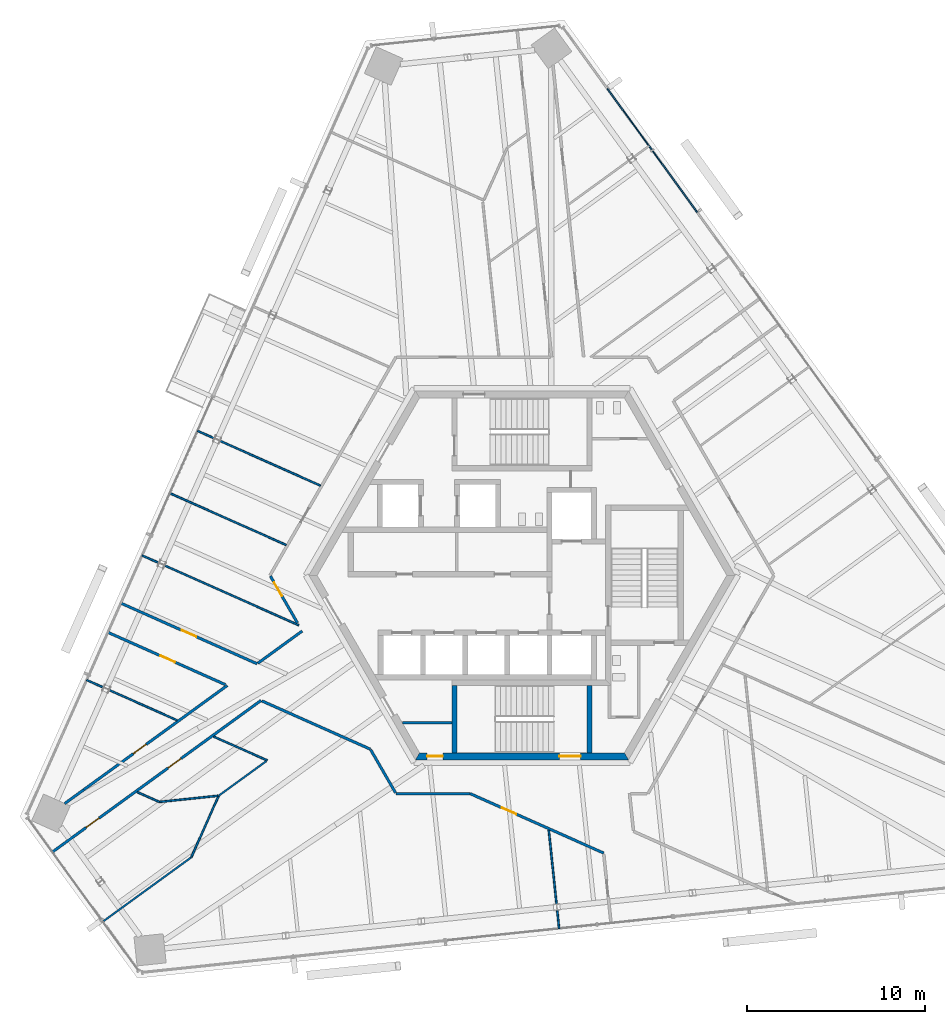
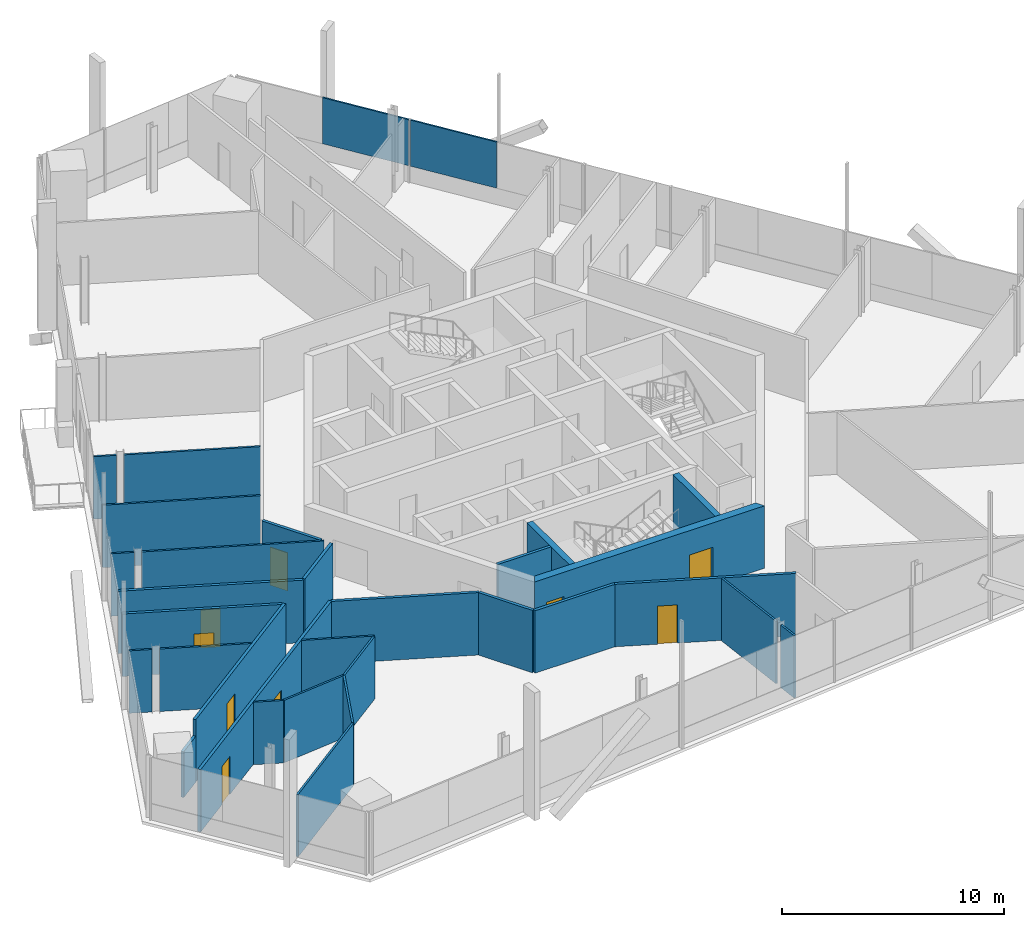
# One storey, part 10 of 20: 30 walls, 9 doors, 2 plates, 9 openings, 1 element without a shape of its own.
"""IFC4 building model written with IfcOpenShell, lengths in metres."""

import ifcopenshell
import ifcopenshell.guid

model = None  # the IFC model being written
_history = None  # IfcOwnerHistory: only IFC2X3 demands one
_inside = {}  # id of a spatial element -> (the spatial element, [elements in it])
_under = {}  # id of a project, library or spatial element -> (it, [spatial elements below it])
_declared = {}  # id of a project -> (the project, [libraries it declares])
_typed = {}  # id of a type object -> (the type object, [elements of that type])
_made_of = {}  # id of a material, layer set ... -> (it, [elements and type objects made of it])


def new_model(schema):
    """Start an empty IFC model of exactly this schema.

    Asked for "IFC4X3", IfcOpenShell would pick the latest addendum, in which some entities
    have other attributes; the version numbers below select the first issue.
    IFC2X3 requires an IfcOwnerHistory on every rooted entity: one is made here for all.
    """
    global model, _history
    if schema == "IFC4X3":
        model = ifcopenshell.file(schema_version=(4, 3, 0, 0))
    else:
        model = ifcopenshell.file(schema=schema)
    _inside.clear()
    _under.clear()
    _declared.clear()
    _typed.clear()
    _made_of.clear()
    _history = None
    if model.schema == "IFC2X3":
        org = make("IfcOrganization", Name="unknown")
        user = make(
            "IfcPersonAndOrganization",
            ThePerson=make("IfcPerson", FamilyName="unknown"),
            TheOrganization=org,
        )
        app = make(
            "IfcApplication",
            ApplicationDeveloper=org,
            Version="unknown",
            ApplicationFullName="unknown",
            ApplicationIdentifier="unknown",
        )
        _history = make(
            "IfcOwnerHistory",
            OwningUser=user,
            OwningApplication=app,
            ChangeAction="ADDED",
            CreationDate=0,
        )
    return model


def make(cls, **values):
    """One entity of the class cls with the attributes given. An attribute that is None is left unset."""
    return model.create_entity(
        cls, **{name: value for name, value in values.items() if value is not None}
    )


def rooted(cls, **values):
    """An entity with a GlobalId (a new one), such as an element, a storey or a relation."""
    return make(cls, GlobalId=ifcopenshell.guid.new(), OwnerHistory=_history, **values)


def si_unit(unit_type, name, prefix=None):
    """IfcSIUnit, for example si_unit("LENGTHUNIT", "METRE", prefix="MILLI")."""
    return make("IfcSIUnit", UnitType=unit_type, Prefix=prefix, Name=name)


def assignment(units):
    """IfcUnitAssignment: the units of a project."""
    return None if units is None else make("IfcUnitAssignment", Units=units)


def point(xyz):
    """IfcCartesianPoint."""
    return None if xyz is None else make("IfcCartesianPoint", Coordinates=xyz)


def direction(xyz):
    """IfcDirection."""
    return None if xyz is None else make("IfcDirection", DirectionRatios=xyz)


def frame(location, z_axis=None, x_axis=None):
    """IfcAxis2Placement3D, a coordinate frame: its origin and axes. An axis left out is left unset."""
    return make(
        "IfcAxis2Placement3D",
        Location=point(location),
        Axis=direction(z_axis),
        RefDirection=direction(x_axis),
    )


def frame_2d(location, x_axis=None):
    """IfcAxis2Placement2D, a coordinate frame in the plane: its origin and x axis."""
    return make(
        "IfcAxis2Placement2D", Location=point(location), RefDirection=direction(x_axis)
    )


def origin():
    """The frame at (0, 0, 0) with its axes left unset."""
    return frame((0.0, 0.0, 0.0))


def origin_2d():
    """The frame at (0, 0) in the plane with its x axis left unset."""
    return frame_2d((0.0, 0.0))


def place(relative_to, where):
    """IfcLocalPlacement: puts the frame where relative to a parent placement (None: the world)."""
    return make(
        "IfcLocalPlacement", PlacementRelTo=relative_to, RelativePlacement=where
    )


def context(
    kind, dimensions, precision=None, world=None, true_north=None, identifier=None
):
    """IfcGeometricRepresentationContext, for example the 3D "Model" context."""
    return make(
        "IfcGeometricRepresentationContext",
        ContextIdentifier=identifier,
        ContextType=kind,
        CoordinateSpaceDimension=dimensions,
        Precision=precision,
        WorldCoordinateSystem=world,
        TrueNorth=true_north,
    )


def subcontext(parent, identifier, kind, view, scale=None):
    """IfcGeometricRepresentationSubContext, for example "Body" below "Model"."""
    return make(
        "IfcGeometricRepresentationSubContext",
        ContextIdentifier=identifier,
        ContextType=kind,
        ParentContext=parent,
        TargetScale=scale,
        TargetView=view,
    )


def project(units=None, contexts=None):
    """IfcProject with its units and contexts."""
    return rooted(
        "IfcProject",
        Name="project",
        RepresentationContexts=contexts,
        UnitsInContext=assignment(units),
    )


def spatial(cls, under=None, at=None, **own):
    """A site, building, storey or space (cls), placed at a placement, below another one or the project."""
    s = rooted(cls, ObjectPlacement=at, **own)
    if under is not None:
        _under.setdefault(under.id(), (under, []))[1].append(s)
    return s


def polyline(points):
    """IfcPolyline through the points."""
    return make("IfcPolyline", Points=[point(p) for p in points])


def profile(cls, at=None, kind="AREA", **sizes):
    """A parametric profile (cls). Its sizes go by their IFC names, for example OverallWidth=200.0."""
    return make(cls, ProfileType=kind, Position=at, **sizes)


def rectangle(**sizes):
    """IfcRectangleProfileDef."""
    return profile("IfcRectangleProfileDef", **sizes)


def outline(outer, holes=None, kind="AREA"):
    """IfcArbitraryClosedProfileDef: a profile drawn as a closed curve; with holes, ...WithVoids."""
    if holes is None:
        return make("IfcArbitraryClosedProfileDef", ProfileType=kind, OuterCurve=outer)
    return make(
        "IfcArbitraryProfileDefWithVoids",
        ProfileType=kind,
        OuterCurve=outer,
        InnerCurves=holes,
    )


def extrude(swept, where, along, depth):
    """IfcExtrudedAreaSolid: the profile swept, set in the frame where, extruded along a direction by depth."""
    return make(
        "IfcExtrudedAreaSolid",
        SweptArea=swept,
        Position=where,
        ExtrudedDirection=direction(along),
        Depth=depth,
    )


def shape(context_of_items, identifier, shape_type, items):
    """IfcShapeRepresentation: the items that make up one representation, for example the "Body"."""
    return make(
        "IfcShapeRepresentation",
        ContextOfItems=context_of_items,
        RepresentationIdentifier=identifier,
        RepresentationType=shape_type,
        Items=items,
    )


def source(mapping_origin, context_of_items, identifier, shape_type, items):
    """IfcRepresentationMap: a shape defined once, which mapped items show again and again."""
    return make(
        "IfcRepresentationMap",
        MappingOrigin=mapping_origin,
        MappedRepresentation=shape(context_of_items, identifier, shape_type, items),
    )


def transform(
    local_origin,
    x_axis=None,
    y_axis=None,
    z_axis=None,
    scale=None,
    scale2=None,
    scale3=None,
    uniform=True,
):
    """IfcCartesianTransformationOperator3D, or its non-uniform kind. x_axis, y_axis, z_axis: its Axis1, 2, 3."""
    if uniform:
        return make(
            "IfcCartesianTransformationOperator3D",
            Axis1=direction(x_axis),
            Axis2=direction(y_axis),
            LocalOrigin=point(local_origin),
            Scale=scale,
            Axis3=direction(z_axis),
        )
    return make(
        "IfcCartesianTransformationOperator3DnonUniform",
        Axis1=direction(x_axis),
        Axis2=direction(y_axis),
        LocalOrigin=point(local_origin),
        Scale=scale,
        Axis3=direction(z_axis),
        Scale2=scale2,
        Scale3=scale3,
    )


def mapped(mapping_source, mapping_target):
    """IfcMappedItem: shows the shape of a source again, moved by a transform."""
    return make(
        "IfcMappedItem", MappingSource=mapping_source, MappingTarget=mapping_target
    )


def material(Name=None, Category=None):
    """IfcMaterial."""
    return make("IfcMaterial", Name=Name, Category=Category)


def layer(
    of_material, thickness, ventilated=None, Name=None, Category=None, Priority=None
):
    """IfcMaterialLayer: one layer of a wall or slab, of a material (None: an air gap)."""
    return make(
        "IfcMaterialLayer",
        Material=of_material,
        LayerThickness=thickness,
        IsVentilated=ventilated,
        Name=Name,
        Category=Category,
        Priority=Priority,
    )


def layer_set(layers, Name=None):
    """IfcMaterialLayerSet."""
    return make("IfcMaterialLayerSet", MaterialLayers=layers, LayerSetName=Name)


def made_of(thing, what):
    """Note that an element or type object is made of a material, layer set ...; save() writes the relation."""
    if what is not None:
        _made_of.setdefault(what.id(), (what, []))[1].append(thing)
    return thing


def type_object(cls, material=None, **own):
    """A type object (cls), such as IfcWallType, which elements share."""
    return made_of(rooted(cls, **own), material)


def element(
    cls,
    number,
    at=None,
    inside=None,
    cuts=None,
    type_object=None,
    material=None,
    context=None,
    identifier="Body",
    shape_type=None,
    held_by="IfcProductDefinitionShape",
    body=None,
    shapes=None,
    **own,
):
    """One element of the class cls, such as IfcWall. Its Tag is "e" and its number.

    at: its placement. inside: the storey or other place that contains it. cuts: it is an
    opening in that element (IfcRelVoidsElement). A single representation is given by context,
    identifier, shape_type and body (its items); several are given by shapes. held_by: the class
    of the entity that holds the representations. save() writes the other relations.
    """
    e = rooted(cls, Tag="e%d" % number, ObjectPlacement=at, **own)
    if body is not None:
        shapes = [shape(context, identifier, shape_type, body)]
    if shapes is not None:
        e.Representation = make(held_by, Representations=shapes)
    if inside is not None:
        _inside.setdefault(inside.id(), (inside, []))[1].append(e)
    if cuts is not None:
        rooted(
            "IfcRelVoidsElement", RelatingBuildingElement=cuts, RelatedOpeningElement=e
        )
    if type_object is not None:
        _typed.setdefault(type_object.id(), (type_object, []))[1].append(e)
    return made_of(e, material)


def fill(opening, filler):
    """IfcRelFillsElement: the door or window that sits in an opening."""
    return rooted(
        "IfcRelFillsElement",
        RelatingOpeningElement=opening,
        RelatedBuildingElement=filler,
    )


def aggregate(whole, parts):
    """IfcRelAggregates: a whole, such as a stair, and the parts it consists of."""
    return rooted("IfcRelAggregates", RelatingObject=whole, RelatedObjects=parts)


def save(model, path):
    """Write the relations noted so far, then the file.

    IfcRelAggregates (storeys below a building ...), IfcRelContainedInSpatialStructure (elements
    in a storey), IfcRelDefinesByType, IfcRelAssociatesMaterial and IfcRelDeclares: one each for
    every whole, place, type object, material and project.
    """
    for whole, parts in _under.values():
        aggregate(whole, parts)
    for where, things in _inside.values():
        rooted(
            "IfcRelContainedInSpatialStructure",
            RelatedElements=things,
            RelatingStructure=where,
        )
    for kind, things in _typed.values():
        rooted("IfcRelDefinesByType", RelatedObjects=things, RelatingType=kind)
    for what, things in _made_of.values():
        rooted("IfcRelAssociatesMaterial", RelatedObjects=things, RelatingMaterial=what)
    for by, libraries in _declared.values():
        rooted("IfcRelDeclares", RelatingContext=by, RelatedDefinitions=libraries)
    model.write(path)


model = new_model("IFC4")

# Units and contexts
model_context = context("Model", 3, precision=1e-05, world=origin(), true_north=direction((0.0, 1.0)))
body_context = subcontext(model_context, "Body", "Model", "MODEL_VIEW")
ifc_project = project(units=[si_unit("LENGTHUNIT", "METRE"), si_unit("AREAUNIT", "SQUARE_METRE"), si_unit("VOLUMEUNIT", "CUBIC_METRE"), si_unit("PLANEANGLEUNIT", "RADIAN"), si_unit("MASSUNIT", "GRAM", prefix="KILO")], contexts=[model_context])

# Site, building, storey
site_placement = place(None, origin())
site = spatial("IfcSite", under=ifc_project, at=site_placement, CompositionType="ELEMENT")
building_placement = place(site_placement, origin())
building = spatial("IfcBuilding", under=site, at=building_placement, Name="Triune Harvest Tower", CompositionType="ELEMENT")
storey_placement = place(building_placement, frame((0.0, 0.0, 226.89990234375)))
storey = spatial("IfcBuildingStorey", under=building, at=storey_placement, Name="L59", CompositionType="ELEMENT", Elevation=226.89990234375)

# Curtain wall, plates
ifc_material_1 = material(Name="Aluminium bronze anodised", Category="aluminium")
curtain_wall_type = type_object("IfcCurtainWallType", Name="CW-7 Tower stick curtain wall with insulated spandrel infill", PredefinedType="NOTDEFINED", material=ifc_material_1)
curtain_wall_placement = place(storey_placement, origin())
curtain_wall = element("IfcCurtainWall", 1, at=curtain_wall_placement, inside=storey, type_object=curtain_wall_type, Name="CW-7 B6-F1 L59 run 2001")
ifc_material_2 = material(Name="Insulated spandrel panel, bronze aluminium pan", Category="aluminium")
ifc_layer_1 = layer(ifc_material_2, 0.080078125)
ifc_layer_set_1 = layer_set([ifc_layer_1], Name="Insulated spandrel panel, bronze aluminium pan")
plate_type = type_object("IfcPlateType", Name="SP-1 insulated spandrel panel 80", PredefinedType="CURTAIN_PANEL", material=ifc_layer_set_1)
shared_shape_1 = source(origin(), body_context, "Body", "SweptSolid", [
    extrude(rectangle(XDim=4.262451171875, YDim=0.080078125, at=origin_2d()), origin(), (0.0, 0.0, 1.0), 2.5400390625),
])
plate_1_placement = place(storey_placement, frame((8.61181640625, 22.178955078125, 0.900146484375), z_axis=(0.0, 0.0, 1.0), x_axis=(-0.587786129808, 0.809016356822, 0.0)))
plate_1 = element("IfcPlate", 2, at=plate_1_placement, type_object=plate_type, Name="CW-7 panel B6-F1 2001.2", PredefinedType="CURTAIN_PANEL", context=body_context, shape_type="MappedRepresentation", body=[
    mapped(shared_shape_1, transform((0.0, 0.0, 0.0), scale=1.0)),
])
plate_2_placement = place(storey_placement, frame((6.062255859375, 25.68798828125, 0.900146484375), z_axis=(0.0, 0.0, 1.0), x_axis=(-0.587786129808, 0.809016356822, 0.0)))
plate_2 = element("IfcPlate", 3, at=plate_2_placement, type_object=plate_type, Name="CW-7 panel B6-F1 2001.3", PredefinedType="CURTAIN_PANEL", context=body_context, shape_type="MappedRepresentation", body=[
    mapped(shared_shape_1, transform((0.0, 0.0, 0.0), scale=1.0)),
])
aggregate(curtain_wall, [plate_1, plate_2])

# Wall, opening, door
ifc_material_3 = material(Name="Gypsum board on steel studs", Category="steel")
ifc_layer_2 = layer(ifc_material_3, 0.14990234375)
ifc_layer_set_2 = layer_set([ifc_layer_2], Name="Gypsum board on steel studs")
wall_type_1 = type_object("IfcWallType", Name="Fire Partition 150 mm", PredefinedType="PARTITIONING", material=ifc_layer_set_2)
wall_1_placement = place(storey_placement, frame((-14.1689453125, -0.04345703125, 0.0), z_axis=(0.0, 0.0, 1.0), x_axis=(0.500039629421, -0.866002522519, 0.0)))
wall_1 = element("IfcWall", 4, at=wall_1_placement, inside=storey, type_object=wall_type_1, Name="Partition L59 009", PredefinedType="PARTITIONING", context=body_context, shape_type="SweptSolid", body=[
    extrude(rectangle(XDim=3.042724609375, YDim=0.14990234375, at=frame_2d((1.521484375, 0.0))), origin(), (0.0, 0.0, 1.0), 3.440185546875),
])
opening_1_placement = place(wall_1_placement, frame((0.39990234375, 0.0, 0.0)))
opening_1 = element("IfcOpeningElement", 5, at=opening_1_placement, cuts=wall_1, Name="Opening L59-013", PredefinedType="OPENING", context=body_context, shape_type="SweptSolid", body=[
    extrude(rectangle(XDim=0.89990234375, YDim=2.10009765625, at=frame_2d((0.449951171875, 1.050048828125))), frame((0.0, 0.0849609375, 0.0), z_axis=(0.0, -1.0, 0.0), x_axis=(1.0, 0.0, 0.0)), (0.0, 0.0, 1.0), 0.169921875),
])
ifc_material_4 = material(Name="Timber and steel door set", Category="steel")
door_type_1 = type_object("IfcDoorType", Name="Single leaf door FD30 right hand 900 x 2100", OperationType="SINGLE_SWING_RIGHT", PredefinedType="DOOR", material=ifc_material_4)
door_1_placement = place(opening_1_placement, origin())
door_1 = element("IfcDoor", 6, at=door_1_placement, inside=storey, type_object=door_type_1, Name="Door L59-013 Meeting Room 59.13", OperationType="SINGLE_SWING_RIGHT", OverallHeight=2.10009765625, OverallWidth=0.89990234375, PredefinedType="DOOR", context=body_context, shape_type="SweptSolid", body=[
    extrude(rectangle(XDim=0.89990234375, YDim=2.10009765625, at=frame_2d((0.449951171875, 1.050048828125))), frame((0.0, 0.02490234375, 0.0), z_axis=(0.0, -1.0, 0.0), x_axis=(1.0, 0.0, 0.0)), (0.0, 0.0, 1.0), 0.050048828125),
])
fill(opening_1, door_1)

# Wall
wall_2_placement = place(storey_placement, frame((-8.525390625, -9.818115234375, 0.0), z_axis=(0.0, 0.0, 1.0), x_axis=(0.500021093737, -0.866013224967, 0.0)))
element("IfcWall", 7, at=wall_2_placement, inside=storey, type_object=wall_type_1, Name="Partition L59 010", PredefinedType="PARTITIONING", context=body_context, shape_type="SweptSolid", body=[
    extrude(rectangle(XDim=2.80712890625, YDim=0.14990234375, at=frame_2d((1.403564453125, 0.0))), origin(), (0.0, 0.0, 1.0), 3.440185546875),
])

# Wall, opening, door
wall_3_placement = place(storey_placement, frame((-23.32568359375, -3.209228515625, 0.0), z_axis=(0.0, 0.0, 1.0), x_axis=(0.913546136193, -0.406735119022, 0.0)))
wall_3 = element("IfcWall", 8, at=wall_3_placement, inside=storey, type_object=wall_type_1, Name="Partition L59 017", PredefinedType="PARTITIONING", context=body_context, shape_type="SweptSolid", body=[
    extrude(rectangle(XDim=7.250244140625, YDim=0.14990234375, at=frame_2d((3.625, 0.0))), origin(), (0.0, 0.0, 1.0), 3.440185546875),
])
opening_2_placement = place(wall_3_placement, frame((3.25, 0.0, 0.0)))
opening_2 = element("IfcOpeningElement", 9, at=opening_2_placement, cuts=wall_3, Name="Opening L59-015", PredefinedType="OPENING", context=body_context, shape_type="SweptSolid", body=[
    extrude(rectangle(XDim=0.89990234375, YDim=2.10009765625, at=frame_2d((0.449951171875, 1.050048828125))), frame((0.0, 0.0849609375, 0.0), z_axis=(0.0, -1.0, 0.0), x_axis=(1.0, 0.0, 0.0)), (0.0, 0.0, 1.0), 0.169921875),
])
ifc_material_5 = material(Name="Timber and steel door set", Category="steel")
door_type_2 = type_object("IfcDoorType", Name="Single leaf door FD30 left hand 900 x 2100", OperationType="SINGLE_SWING_LEFT", PredefinedType="DOOR", material=ifc_material_5)
door_2_placement = place(opening_2_placement, origin())
door_2 = element("IfcDoor", 10, at=door_2_placement, inside=storey, type_object=door_type_2, Name="Door L59-015 Meeting Room 59.15", OperationType="SINGLE_SWING_LEFT", OverallHeight=2.10009765625, OverallWidth=0.89990234375, PredefinedType="DOOR", context=body_context, shape_type="SweptSolid", body=[
    extrude(rectangle(XDim=0.89990234375, YDim=2.10009765625, at=frame_2d((0.449951171875, 1.050048828125))), frame((0.0, 0.02490234375, 0.0), z_axis=(0.0, -1.0, 0.0), x_axis=(1.0, 0.0, 0.0)), (0.0, 0.0, 1.0), 0.050048828125),
])
fill(opening_2, door_2)

# Wall
wall_4_placement = place(storey_placement, frame((-14.656982421875, -7.06884765625, 0.0), z_axis=(0.0, 0.0, 1.0), x_axis=(0.913555747431, -0.406713531047, 0.0)))
element("IfcWall", 11, at=wall_4_placement, inside=storey, type_object=wall_type_1, Name="Partition L59 018", PredefinedType="PARTITIONING", context=body_context, shape_type="SweptSolid", body=[
    extrude(rectangle(XDim=6.695556640625, YDim=0.14990234375, at=frame_2d((3.34765625, 0.0))), origin(), (0.0, 0.0, 1.0), 3.440185546875),
])

# Wall, opening, door
wall_5_placement = place(storey_placement, frame((-2.925048828125, -12.292236328125, 0.0), z_axis=(0.0, 0.0, 1.0), x_axis=(0.913548582705, -0.406729623997, 0.0)))
wall_5 = element("IfcWall", 12, at=wall_5_placement, inside=storey, type_object=wall_type_1, Name="Partition L59 019", PredefinedType="PARTITIONING", context=body_context, shape_type="SweptSolid", body=[
    extrude(rectangle(XDim=8.2373046875, YDim=0.14990234375, at=frame_2d((4.11865234375, 0.0))), origin(), (0.0, 0.0, 1.0), 3.440185546875),
])
opening_3_placement = place(wall_5_placement, frame((1.9501953125, 0.0, 0.0)))
opening_3 = element("IfcOpeningElement", 13, at=opening_3_placement, cuts=wall_5, Name="Opening L59-020", PredefinedType="OPENING", context=body_context, shape_type="SweptSolid", body=[
    extrude(rectangle(XDim=0.89990234375, YDim=2.10009765625, at=frame_2d((0.449951171875, 1.050048828125))), frame((0.0, 0.0849609375, 0.0), z_axis=(0.0, -1.0, 0.0), x_axis=(1.0, 0.0, 0.0)), (0.0, 0.0, 1.0), 0.169921875),
])
door_3_placement = place(opening_3_placement, origin())
door_3 = element("IfcDoor", 14, at=door_3_placement, inside=storey, type_object=door_type_1, Name="Door L59-020 Open Office 59.20", OperationType="SINGLE_SWING_RIGHT", OverallHeight=2.10009765625, OverallWidth=0.89990234375, PredefinedType="DOOR", context=body_context, shape_type="SweptSolid", body=[
    extrude(rectangle(XDim=0.89990234375, YDim=2.10009765625, at=frame_2d((0.449951171875, 1.050048828125))), frame((0.0, 0.02490234375, 0.0), z_axis=(0.0, -1.0, 0.0), x_axis=(1.0, 0.0, 0.0)), (0.0, 0.0, 1.0), 0.050048828125),
])
fill(opening_3, door_3)

wall_6_placement = place(storey_placement, frame((-22.59326171875, -1.565185546875, 0.0), z_axis=(0.0, 0.0, 1.0), x_axis=(0.913540463394, -0.406747860157, 0.0)))
wall_6 = element("IfcWall", 15, at=wall_6_placement, inside=storey, type_object=wall_type_1, Name="Partition L59 020", PredefinedType="PARTITIONING", context=body_context, shape_type="SweptSolid", body=[
    extrude(rectangle(XDim=8.399658203125, YDim=0.14990234375, at=frame_2d((4.19970703125, 0.0))), origin(), (0.0, 0.0, 1.0), 3.440185546875),
])
opening_4_placement = place(wall_6_placement, frame((3.74951171875, 0.0, 0.0)))
opening_4 = element("IfcOpeningElement", 16, at=opening_4_placement, cuts=wall_6, Name="Opening L59-016", PredefinedType="OPENING", context=body_context, shape_type="SweptSolid", body=[
    extrude(rectangle(XDim=0.89990234375, YDim=2.10009765625, at=frame_2d((0.449951171875, 1.050048828125))), frame((0.0, 0.0849609375, 0.0), z_axis=(0.0, -1.0, 0.0), x_axis=(1.0, 0.0, 0.0)), (0.0, 0.0, 1.0), 0.169921875),
])
door_4_placement = place(opening_4_placement, origin())
door_4 = element("IfcDoor", 17, at=door_4_placement, inside=storey, type_object=door_type_2, Name="Door L59-016 Office 59.16", OperationType="SINGLE_SWING_LEFT", OverallHeight=2.10009765625, OverallWidth=0.89990234375, PredefinedType="DOOR", context=body_context, shape_type="SweptSolid", body=[
    extrude(rectangle(XDim=0.89990234375, YDim=2.10009765625, at=frame_2d((0.449951171875, 1.050048828125))), frame((0.0, 0.02490234375, 0.0), z_axis=(0.0, -1.0, 0.0), x_axis=(1.0, 0.0, 0.0)), (0.0, 0.0, 1.0), 0.050048828125),
])
fill(opening_4, door_4)

# Wall
wall_7_placement = place(storey_placement, frame((-7.096923828125, -12.292236328125, 0.0), z_axis=(0.0, 0.0, 1.0), x_axis=(1.0, 0.0, 0.0)))
element("IfcWall", 18, at=wall_7_placement, inside=storey, type_object=wall_type_1, Name="Partition L59 032", PredefinedType="PARTITIONING", context=body_context, shape_type="SweptSolid", body=[
    extrude(rectangle(XDim=4.162109375, YDim=0.14990234375, at=frame_2d((2.0810546875, 0.0))), origin(), (0.0, 0.0, 1.0), 3.440185546875),
])

# Wall, openings, doors
wall_8_placement = place(storey_placement, frame((-26.452392578125, -15.585205078125, 0.0), z_axis=(0.0, 0.0, 1.0), x_axis=(0.809011496706, 0.58779281911, 0.0)))
wall_8 = element("IfcWall", 19, at=wall_8_placement, inside=storey, type_object=wall_type_1, Name="Partition L59 045", PredefinedType="PARTITIONING", context=body_context, shape_type="SweptSolid", body=[
    extrude(rectangle(XDim=14.523681640625, YDim=0.14990234375, at=frame_2d((7.26171875, 0.0))), origin(), (0.0, 0.0, 1.0), 3.440185546875),
])
opening_5_placement = place(wall_8_placement, frame((8.05859375, 0.0, 0.0)))
opening_5 = element("IfcOpeningElement", 20, at=opening_5_placement, cuts=wall_8, Name="Opening L59-018", PredefinedType="OPENING", context=body_context, shape_type="SweptSolid", body=[
    extrude(rectangle(XDim=0.89990234375, YDim=2.10009765625, at=frame_2d((0.449951171875, 1.050048828125))), frame((0.0, 0.0849609375, 0.0), z_axis=(0.0, -1.0, 0.0), x_axis=(1.0, 0.0, 0.0)), (0.0, 0.0, 1.0), 0.169921875),
])
opening_6_placement = place(wall_8_placement, frame((2.349853515625, 0.0, 0.0)))
opening_6 = element("IfcOpeningElement", 21, at=opening_6_placement, cuts=wall_8, Name="Opening L59-019", PredefinedType="OPENING", context=body_context, shape_type="SweptSolid", body=[
    extrude(rectangle(XDim=0.89990234375, YDim=2.10009765625, at=frame_2d((0.449951171875, 1.050048828125))), frame((0.0, 0.0849609375, 0.0), z_axis=(0.0, -1.0, 0.0), x_axis=(1.0, 0.0, 0.0)), (0.0, 0.0, 1.0), 0.169921875),
])
door_5_placement = place(opening_5_placement, origin())
door_5 = element("IfcDoor", 22, at=door_5_placement, inside=storey, type_object=door_type_2, Name="Door L59-018 Pantry 59.18", OperationType="SINGLE_SWING_LEFT", OverallHeight=2.10009765625, OverallWidth=0.89990234375, PredefinedType="DOOR", context=body_context, shape_type="SweptSolid", body=[
    extrude(rectangle(XDim=0.89990234375, YDim=2.10009765625, at=frame_2d((0.449951171875, 1.050048828125))), frame((0.0, 0.02490234375, 0.0), z_axis=(0.0, -1.0, 0.0), x_axis=(1.0, 0.0, 0.0)), (0.0, 0.0, 1.0), 0.050048828125),
])
fill(opening_5, door_5)
door_6_placement = place(opening_6_placement, origin())
door_6 = element("IfcDoor", 23, at=door_6_placement, inside=storey, type_object=door_type_1, Name="Door L59-019 Office 59.19", OperationType="SINGLE_SWING_RIGHT", OverallHeight=2.10009765625, OverallWidth=0.89990234375, PredefinedType="DOOR", context=body_context, shape_type="SweptSolid", body=[
    extrude(rectangle(XDim=0.89990234375, YDim=2.10009765625, at=frame_2d((0.449951171875, 1.050048828125))), frame((0.0, 0.02490234375, 0.0), z_axis=(0.0, -1.0, 0.0), x_axis=(1.0, 0.0, 0.0)), (0.0, 0.0, 1.0), 0.050048828125),
])
fill(opening_6, door_6)

# Wall, opening, door
wall_9_placement = place(storey_placement, frame((-24.677490234375, -12.07080078125, 0.0), z_axis=(0.0, 0.0, 1.0), x_axis=(0.808997226616, 0.587812459316, 0.0)))
wall_9 = element("IfcWall", 24, at=wall_9_placement, inside=storey, type_object=wall_type_1, Name="Partition L59 047a", PredefinedType="PARTITIONING", context=body_context, shape_type="SweptSolid", body=[
    extrude(rectangle(XDim=9.982666015625, YDim=0.14990234375, at=frame_2d((4.9912109375, 0.0))), origin(), (0.0, 0.0, 1.0), 3.440185546875),
])
opening_7_placement = place(wall_9_placement, frame((3.438232421875, 0.0, 0.0)))
opening_7 = element("IfcOpeningElement", 25, at=opening_7_placement, cuts=wall_9, Name="Opening L59-017", PredefinedType="OPENING", context=body_context, shape_type="SweptSolid", body=[
    extrude(rectangle(XDim=0.89990234375, YDim=2.10009765625, at=frame_2d((0.449951171875, 1.050048828125))), frame((0.0, 0.0849609375, 0.0), z_axis=(0.0, -1.0, 0.0), x_axis=(1.0, 0.0, 0.0)), (0.0, 0.0, 1.0), 0.169921875),
])
door_7_placement = place(opening_7_placement, origin())
door_7 = element("IfcDoor", 26, at=door_7_placement, inside=storey, type_object=door_type_2, Name="Door L59-017 Pantry 59.17", OperationType="SINGLE_SWING_LEFT", OverallHeight=2.10009765625, OverallWidth=0.89990234375, PredefinedType="DOOR", context=body_context, shape_type="SweptSolid", body=[
    extrude(rectangle(XDim=0.89990234375, YDim=2.10009765625, at=frame_2d((0.449951171875, 1.050048828125))), frame((0.0, 0.02490234375, 0.0), z_axis=(0.0, -1.0, 0.0), x_axis=(1.0, 0.0, 0.0)), (0.0, 0.0, 1.0), 0.050048828125),
])
fill(opening_7, door_7)

# Walls
wall_10_placement = place(storey_placement, frame((-14.879638671875, -4.951904296875, 0.0), z_axis=(0.0, 0.0, 1.0), x_axis=(0.809047214606, 0.587743655464, 0.0)))
element("IfcWall", 27, at=wall_10_placement, inside=storey, type_object=wall_type_1, Name="Partition L59 048", PredefinedType="PARTITIONING", context=body_context, shape_type="SweptSolid", body=[
    extrude(rectangle(XDim=3.086669921875, YDim=0.14990234375, at=frame_2d((1.54345703125, 0.0))), origin(), (0.0, 0.0, 1.0), 3.440185546875),
])
ifc_material_6 = material(Name="Gypsum board on steel studs", Category="steel")
ifc_layer_3 = layer(ifc_material_6, 0.10009765625)
ifc_layer_set_3 = layer_set([ifc_layer_3], Name="Gypsum board on steel studs")
wall_type_2 = type_object("IfcWallType", Name="Partition 100 mm", PredefinedType="PARTITIONING", material=ifc_layer_set_3)
wall_11_placement = place(storey_placement, frame((-21.671142578125, -12.20751953125, 0.0), z_axis=(0.0, 0.0, 1.0), x_axis=(0.913536363976, -0.406757067172, 0.0)))
element("IfcWall", 28, at=wall_11_placement, inside=storey, type_object=wall_type_2, Name="Partition L59 013", PredefinedType="PARTITIONING", context=body_context, shape_type="SweptSolid", body=[
    extrude(rectangle(XDim=1.354736328125, YDim=0.10009765625, at=frame_2d((0.67724609375, 0.0))), origin(), (0.0, 0.0, 1.0), 3.440185546875),
])
wall_12_placement = place(storey_placement, frame((-23.25732421875, -6.45751953125, 0.0), z_axis=(0.0, 0.0, 1.0), x_axis=(0.913530200231, -0.406770910053, 0.0)))
element("IfcWall", 29, at=wall_12_placement, inside=storey, type_object=wall_type_2, Name="Partition L59 015", PredefinedType="PARTITIONING", context=body_context, shape_type="SweptSolid", body=[
    extrude(rectangle(XDim=4.18994140625, YDim=0.10009765625, at=frame_2d((2.094970703125, 0.0))), origin(), (0.0, 0.0, 1.0), 3.440185546875),
])
wall_13_placement = place(storey_placement, frame((-17.366943359375, -9.080078125, 0.0), z_axis=(0.0, 0.0, 1.0), x_axis=(0.913537165463, -0.406755267106, 0.0)))
element("IfcWall", 30, at=wall_13_placement, inside=storey, type_object=wall_type_2, Name="Partition L59 016", PredefinedType="PARTITIONING", context=body_context, shape_type="SweptSolid", body=[
    extrude(rectangle(XDim=3.3046875, YDim=0.10009765625, at=frame_2d((1.65234375, 0.0))), origin(), (0.0, 0.0, 1.0), 3.440185546875),
])
wall_14_placement = place(storey_placement, frame((-19.8359375, 4.62841796875, 0.0), z_axis=(0.0, 0.0, 1.0), x_axis=(0.913544940746, -0.406737804042, 0.0)))
element("IfcWall", 31, at=wall_14_placement, inside=storey, type_object=wall_type_2, Name="Partition L59 024", PredefinedType="PARTITIONING", context=body_context, shape_type="SweptSolid", body=[
    extrude(rectangle(XDim=7.18017578125, YDim=0.10009765625, at=frame_2d((3.590087890625, 0.0))), origin(), (0.0, 0.0, 1.0), 3.440185546875),
])
wall_15_placement = place(storey_placement, frame((-20.424560546875, -12.7626953125, 0.0), z_axis=(0.0, 0.0, 1.0), x_axis=(0.994521251134, 0.104534592565, 0.0)))
element("IfcWall", 32, at=wall_15_placement, inside=storey, type_object=wall_type_2, Name="Partition L59 036", PredefinedType="PARTITIONING", context=body_context, shape_type="SweptSolid", body=[
    extrude(rectangle(XDim=3.300048828125, YDim=0.10009765625, at=frame_2d((1.64990234375, 0.0))), origin(), (0.0, 0.0, 1.0), 3.440185546875),
])
wall_16_placement = place(storey_placement, frame((-23.607421875, -19.501220703125, 0.0), z_axis=(0.0, 0.0, 1.0), x_axis=(0.809010490052, 0.58779420462, 0.0)))
element("IfcWall", 33, at=wall_16_placement, inside=storey, type_object=wall_type_2, Name="Partition L59 041", PredefinedType="PARTITIONING", context=body_context, shape_type="SweptSolid", body=[
    extrude(rectangle(XDim=6.15380859375, YDim=0.10009765625, at=frame_2d((3.076904296875, 0.0))), origin(), (0.0, 0.0, 1.0), 3.440185546875),
])
wall_17_placement = place(storey_placement, frame((-17.082763671875, -12.41162109375, 0.0), z_axis=(0.0, 0.0, 1.0), x_axis=(0.809013420252, 0.587790171619, 0.0)))
element("IfcWall", 34, at=wall_17_placement, inside=storey, type_object=wall_type_2, Name="Partition L59 042", PredefinedType="PARTITIONING", context=body_context, shape_type="SweptSolid", body=[
    extrude(rectangle(XDim=3.310791015625, YDim=0.10009765625, at=frame_2d((1.6552734375, 0.0))), origin(), (0.0, 0.0, 1.0), 3.440185546875),
])
wall_18_placement = place(storey_placement, frame((-18.625244140625, -15.875, 0.0), z_axis=(0.0, 0.0, 1.0), x_axis=(0.406741770208, 0.913543174879, 0.0)))
element("IfcWall", 35, at=wall_18_placement, inside=storey, type_object=wall_type_2, Name="Partition L59 058", PredefinedType="PARTITIONING", context=body_context, shape_type="SweptSolid", body=[
    extrude(rectangle(XDim=3.791748046875, YDim=0.10009765625, at=frame_2d((1.89599609375, 0.0))), origin(), (0.0, 0.0, 1.0), 3.440185546875),
])

# Wall, openings, doors
ifc_material_7 = material(Name="Concrete 70 MPa", Category="concrete")
ifc_layer_4 = layer(ifc_material_7, 0.39990234375)
ifc_layer_set_4 = layer_set([ifc_layer_4], Name="Concrete 70 MPa")
wall_type_3 = type_object("IfcWallType", Name="Core wall 400", PredefinedType="SHEAR", material=ifc_layer_set_4)
shared_shape_2 = source(origin(), body_context, "Body", "SweptSolid", [
    extrude(outline(polyline([(-0.115478515625, -0.199951171875), (11.884521484375, -0.199951171875), (11.653564453125, 0.199951171875), (0.115478515625, 0.199951171875), (-0.115478515625, -0.199951171875)])), origin(), (0.0, 0.0, 1.0), 3.440185546875),
])
wall_19_placement = place(storey_placement, frame((-5.884521484375, -10.1923828125, 0.0), z_axis=(0.0, 0.0, 1.0), x_axis=(1.0, 0.0, 0.0)))
wall_19 = element("IfcWall", 36, at=wall_19_placement, inside=storey, type_object=wall_type_3, Name="Hexagon 4 wall", PredefinedType="SHEAR", context=body_context, shape_type="MappedRepresentation", body=[
    mapped(shared_shape_2, transform((0.0, 0.0, 0.0), scale=1.0)),
])
opening_8_placement = place(wall_19_placement, frame((7.984619140625, 0.0, 0.0)))
opening_8 = element("IfcOpeningElement", 37, at=opening_8_placement, cuts=wall_19, Name="Opening CD-S2P", PredefinedType="OPENING", context=body_context, shape_type="SweptSolid", body=[
    extrude(rectangle(XDim=1.199951171875, YDim=2.10009765625, at=frame_2d((0.60009765625, 1.050048828125))), frame((0.0, 0.2099609375, 0.0), z_axis=(0.0, -1.0, 0.0), x_axis=(1.0, 0.0, 0.0)), (0.0, 0.0, 1.0), 0.419921875),
])
opening_9_placement = place(wall_19_placement, frame((0.534423828125, 0.0, 0.0)))
opening_9 = element("IfcOpeningElement", 38, at=opening_9_placement, cuts=wall_19, Name="Opening CD-SWS", PredefinedType="OPENING", context=body_context, shape_type="SweptSolid", body=[
    extrude(rectangle(XDim=0.89990234375, YDim=2.10009765625, at=frame_2d((0.449951171875, 1.050048828125))), frame((0.0, 0.2099609375, 0.0), z_axis=(0.0, -1.0, 0.0), x_axis=(1.0, 0.0, 0.0)), (0.0, 0.0, 1.0), 0.419921875),
])
ifc_material_8 = material(Name="Steel S235", Category="steel")
door_type_3 = type_object("IfcDoorType", Name="Riser door 900 FD120", OperationType="SINGLE_SWING_LEFT", PredefinedType="DOOR", material=ifc_material_8)
door_8_placement = place(opening_9_placement, frame((0.89990234375, 0.0, 0.0), z_axis=(0.0, 0.0, 1.0), x_axis=(-1.0, 0.0, 0.0)))
door_8 = element("IfcDoor", 39, at=door_8_placement, inside=storey, type_object=door_type_3, Name="Door CD-SWS", OperationType="SINGLE_SWING_RIGHT", OverallHeight=2.10009765625, OverallWidth=0.89990234375, PredefinedType="DOOR", context=body_context, shape_type="SweptSolid", body=[
    extrude(rectangle(XDim=0.89990234375, YDim=2.10009765625, at=frame_2d((0.449951171875, 1.050048828125))), frame((0.0, 0.02490234375, 0.0), z_axis=(0.0, -1.0, 0.0), x_axis=(1.0, 0.0, 0.0)), (0.0, 0.0, 1.0), 0.050048828125),
])
fill(opening_9, door_8)
ifc_material_9 = material(Name="Steel S235", Category="steel")
door_type_4 = type_object("IfcDoorType", Name="Stair door 1200 FD120", OperationType="SINGLE_SWING_LEFT", PredefinedType="DOOR", material=ifc_material_9)
door_9_placement = place(opening_8_placement, frame((1.199951171875, 0.0, 0.0), z_axis=(0.0, 0.0, 1.0), x_axis=(-1.0, 0.0, 0.0)))
door_9 = element("IfcDoor", 40, at=door_9_placement, inside=storey, type_object=door_type_4, Name="Door CD-S2P", OperationType="SINGLE_SWING_RIGHT", OverallHeight=2.10009765625, OverallWidth=1.199951171875, PredefinedType="DOOR", context=body_context, shape_type="SweptSolid", body=[
    extrude(rectangle(XDim=1.199951171875, YDim=2.10009765625, at=frame_2d((0.60009765625, 1.050048828125))), frame((0.0, 0.02490234375, 0.0), z_axis=(0.0, -1.0, 0.0), x_axis=(1.0, 0.0, 0.0)), (0.0, 0.0, 1.0), 0.050048828125),
])
fill(opening_8, door_9)

# Walls
ifc_material_10 = material(Name="Concrete 70 MPa", Category="concrete")
ifc_layer_5 = layer(ifc_material_10, 0.300048828125)
ifc_layer_set_5 = layer_set([ifc_layer_5], Name="Concrete 70 MPa")
wall_type_4 = type_object("IfcWallType", Name="Core wall 300", PredefinedType="SHEAR", material=ifc_layer_set_5)
shared_shape_3 = source(origin(), body_context, "Body", "SweptSolid", [
    extrude(outline(polyline([(3.800048828125, -0.14990234375), (-0.00439453125, -0.14990234375), (-0.00439453125, 0.14990234375), (3.800048828125, 0.14990234375), (3.800048828125, -0.14990234375)])), origin(), (0.0, 0.0, 1.0), 3.440185546875),
])
for number, where, z_axis, x_axis, name in (
    (41, (-3.800048828125, -9.989990234375, 0.0), (0.0, 0.0, 1.0), (0.0, 1.0, 0.0), "Stair s west wall"),
    (42, (3.800048828125, -9.989990234375, 0.0), (0.0, 0.0, 1.0), (0.0, 1.0, 0.0), "Stair s east wall"),
):
    element("IfcWall", number, at=place(storey_placement, frame(where, z_axis=z_axis, x_axis=x_axis)), inside=storey, type_object=wall_type_4, Name=name, PredefinedType="SHEAR", context=body_context, shape_type="MappedRepresentation", body=[
        mapped(shared_shape_3, transform((0.0, 0.0, 0.0), scale=1.0)),
    ])
ifc_material_11 = material(Name="Concrete masonry unit", Category="masonry")
ifc_layer_6 = layer(ifc_material_11, 0.14990234375)
ifc_layer_set_6 = layer_set([ifc_layer_6], Name="Concrete masonry unit")
wall_type_5 = type_object("IfcWallType", Name="Block partition 150", PredefinedType="PARTITIONING", material=ifc_layer_set_6)
shared_shape_4 = source(origin(), body_context, "Body", "SweptSolid", [
    extrude(rectangle(XDim=2.777099609375, YDim=0.14990234375, at=frame_2d((1.388671875, 0.0))), origin(), (0.0, 0.0, 1.0), 3.440185546875),
])
wall_20_placement = place(storey_placement, frame((-6.72705078125, -8.300048828125, 0.0), z_axis=(0.0, 0.0, 1.0), x_axis=(1.0, 0.0, 0.0)))
element("IfcWall", 43, at=wall_20_placement, inside=storey, type_object=wall_type_5, Name="Sw part wall", PredefinedType="PARTITIONING", context=body_context, shape_type="MappedRepresentation", body=[
    mapped(shared_shape_4, transform((0.0, 0.0, 0.0), scale=1.0)),
])
shared_shape_5 = source(origin(), body_context, "Body", "SweptSolid", [
    extrude(rectangle(XDim=1.33837890625, YDim=0.14990234375, at=frame_2d((0.669189453125, 0.0))), origin(), (0.0, 0.0, 1.0), 2.525634765625),
])
wall_21_placement = place(storey_placement, frame((-25.76025390625, -12.857421875, 0.0), z_axis=(0.0, 0.0, 1.0), x_axis=(0.809035740831, 0.587759449145, 0.0)))
element("IfcWall", 44, at=wall_21_placement, inside=storey, type_object=wall_type_1, Name="Partition L59 047", PredefinedType="PARTITIONING", context=body_context, shape_type="MappedRepresentation", body=[
    mapped(shared_shape_5, transform((0.0, 0.0, 0.0), scale=1.0)),
])
shared_shape_6 = source(origin(), body_context, "Body", "SweptSolid", [
    extrude(rectangle(XDim=4.189697265625, YDim=0.10009765625, at=frame_2d((2.0947265625, 0.0))), origin(), (0.0, 0.0, 1.0), 3.440185546875),
])
wall_22_placement = place(storey_placement, frame((1.508544921875, -14.351318359375, 0.0), z_axis=(0.0, 0.0, 1.0), x_axis=(0.104539184312, -0.994520768483, 0.0)))
element("IfcWall", 45, at=wall_22_placement, inside=storey, type_object=wall_type_2, Name="Partition L59 002", PredefinedType="PARTITIONING", context=body_context, shape_type="MappedRepresentation", body=[
    mapped(shared_shape_6, transform((0.0, 0.0, 0.0), scale=1.0)),
])
shared_shape_7 = source(origin(), body_context, "Body", "SweptSolid", [
    extrude(rectangle(XDim=1.0478515625, YDim=0.10009765625, at=frame_2d((0.52392578125, 0.0))), origin(), (0.0, 0.0, 1.0), 3.440185546875),
])
for number, where, z_axis, x_axis, name in (
    (46, (1.981689453125, -18.851806640625, 0.0), (0.0, 0.0, 1.0), (0.104624136351, -0.994511835069, 0.0), "Partition L59 003"),
    (47, (-21.397705078125, 1.12060546875, 0.0), (0.0, 0.0, 1.0), (0.913609658968, -0.406592413899, 0.0), "Partition L59 022"),
):
    element("IfcWall", number, at=place(storey_placement, frame(where, z_axis=z_axis, x_axis=x_axis)), inside=storey, type_object=wall_type_2, Name=name, PredefinedType="PARTITIONING", context=body_context, shape_type="MappedRepresentation", body=[
        mapped(shared_shape_7, transform((0.0, 0.0, 0.0), scale=1.0)),
    ])
shared_shape_8 = source(origin(), body_context, "Body", "SweptSolid", [
    extrude(rectangle(XDim=1.047607421875, YDim=0.10009765625, at=frame_2d((0.52392578125, 0.0))), origin(), (0.0, 0.0, 1.0), 3.440185546875),
])
for number, where, z_axis, x_axis, name in (
    (48, (-24.52099609375, -5.89501953125, 0.0), (0.0, 0.0, 1.0), (0.91357112701, -0.406678983835, 0.0), "Partition L59 014"),
    (49, (-18.27392578125, 8.136474609375, 0.0), (0.0, 0.0, 1.0), (0.913484527974, -0.406873465776, 0.0), "Partition L59 025"),
):
    element("IfcWall", number, at=place(storey_placement, frame(where, z_axis=z_axis, x_axis=x_axis)), inside=storey, type_object=wall_type_2, Name=name, PredefinedType="PARTITIONING", context=body_context, shape_type="MappedRepresentation", body=[
        mapped(shared_shape_8, transform((0.0, 0.0, 0.0), scale=1.0)),
    ])
shared_shape_9 = source(origin(), body_context, "Body", "SweptSolid", [
    extrude(rectangle(XDim=8.277099609375, YDim=0.10009765625, at=frame_2d((4.138671875, 0.0))), origin(), (0.0, 0.0, 1.0), 3.440185546875),
])
wall_23_placement = place(storey_placement, frame((-20.1337890625, 0.55810546875, 0.0), z_axis=(0.0, 0.0, 1.0), x_axis=(0.913541324014, -0.40674592723, 0.0)))
element("IfcWall", 50, at=wall_23_placement, inside=storey, type_object=wall_type_2, Name="Partition L59 023", PredefinedType="PARTITIONING", context=body_context, shape_type="MappedRepresentation", body=[
    mapped(shared_shape_9, transform((0.0, 0.0, 0.0), scale=1.0)),
])
shared_shape_10 = source(origin(), body_context, "Body", "SweptSolid", [
    extrude(rectangle(XDim=6.2001953125, YDim=0.10009765625, at=frame_2d((3.10009765625, 0.0))), origin(), (0.0, 0.0, 1.0), 3.440185546875),
])
wall_24_placement = place(storey_placement, frame((-17.01025390625, 7.57373046875, 0.0), z_axis=(0.0, 0.0, 1.0), x_axis=(0.913535295957, -0.406759465829, 0.0)))
element("IfcWall", 51, at=wall_24_placement, inside=storey, type_object=wall_type_2, Name="Partition L59 026", PredefinedType="PARTITIONING", context=body_context, shape_type="MappedRepresentation", body=[
    mapped(shared_shape_10, transform((0.0, 0.0, 0.0), scale=1.0)),
])

save(model, "model.ifc")
